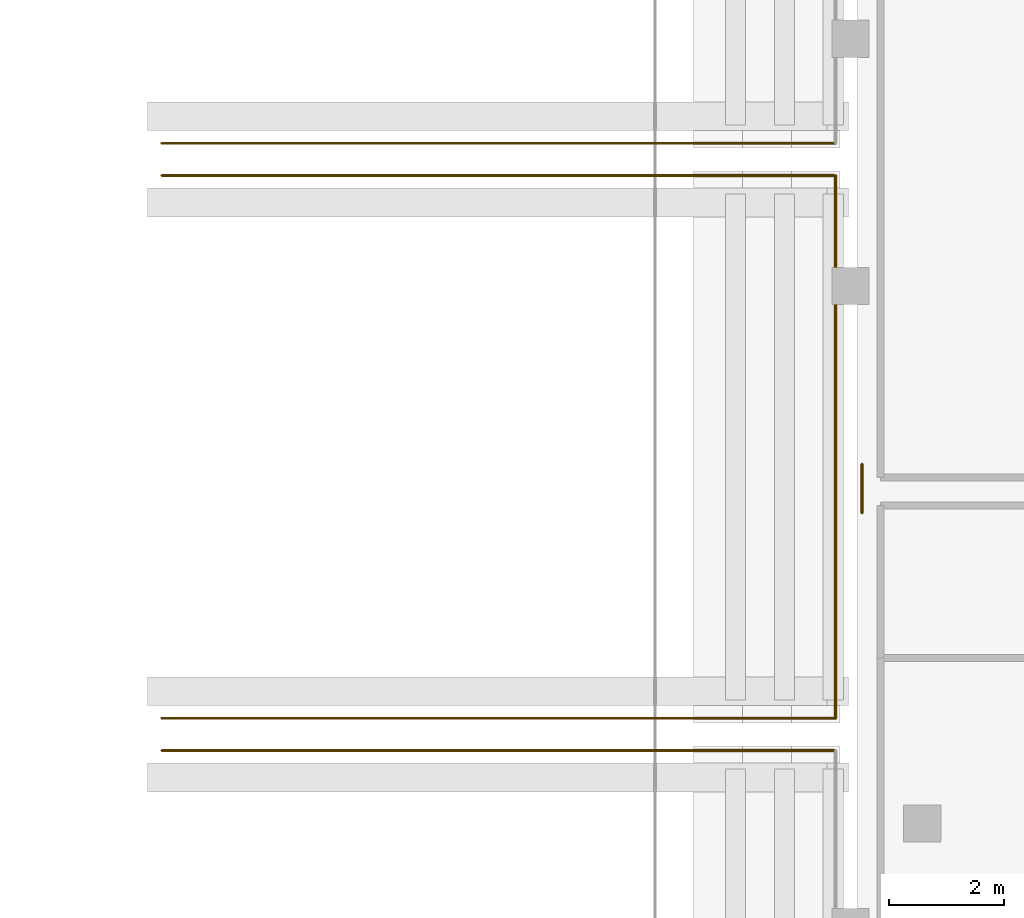
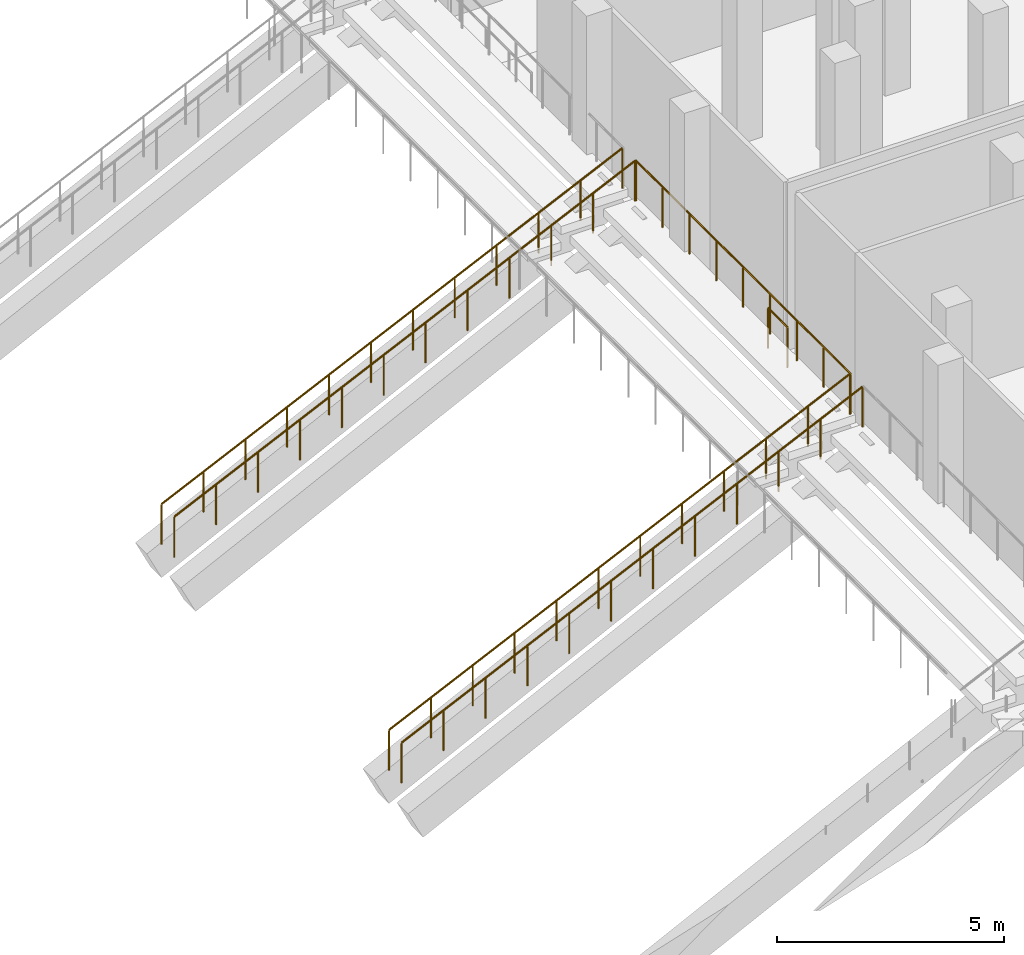
# One storey, part 118 of 129: 6 railings.
"""IFC4 building model written with IfcOpenShell, lengths in metres."""

from ifc_helpers import new_model, si_unit, direction, frame, origin, origin_2d, place, context, subcontext, project, spatial, circle, extrude, material, type_object, element, save


model = new_model("IFC4")

# Units and contexts
model_context = context("Model", 3, precision=1e-05, world=origin(), true_north=direction((0.0, 1.0)))
body_context = subcontext(model_context, "Body", "Model", "MODEL_VIEW")
ifc_project = project(units=[si_unit("LENGTHUNIT", "METRE"), si_unit("AREAUNIT", "SQUARE_METRE"), si_unit("VOLUMEUNIT", "CUBIC_METRE"), si_unit("PLANEANGLEUNIT", "RADIAN"), si_unit("MASSUNIT", "GRAM", prefix="KILO")], contexts=[model_context])

# Site, building, storey
site_placement = place(None, origin())
site = spatial("IfcSite", under=ifc_project, at=site_placement, CompositionType="ELEMENT")
building_placement = place(site_placement, origin())
building = spatial("IfcBuilding", under=site, at=building_placement, Name="Koshinbarg Plaza Stadium", CompositionType="ELEMENT")
storey_placement = place(building_placement, frame((0.0, 0.0, 5.39990234375)))
storey = spatial("IfcBuildingStorey", under=building, at=storey_placement, Name="L01", CompositionType="ELEMENT", Elevation=5.39990234375)

# Railings
ifc_material_1 = material(Name="Toughened laminated glass and stainless steel sightline balustrade", Category="steel")
railing_type_1 = type_object("IfcRailingType", Name="RL-BOWL-1100", PredefinedType="BALUSTRADE", material=ifc_material_1)
railing_1_placement = place(storey_placement, frame((175.280029296875, 69.85009765625, 0.0)))
element("IfcRailing", 1, at=railing_1_placement, inside=storey, type_object=railing_type_1, Name="L01 deck edge safety balustrade 0018", PredefinedType="BALUSTRADE", context=body_context, shape_type="SweptSolid", body=[
    extrude(circle(Radius=0.02392578125, at=origin_2d()), frame((0.0, 0.0, 1.076171875), z_axis=(0.0, 1.0, 0.0), x_axis=(-1.0, 0.0, 0.0)), (0.0, 0.0, 1.0), 0.849853515625),
    extrude(circle(Radius=0.02099609375, at=origin_2d()), origin(), (0.0, 0.0, 1.0), 1.052001953125),
    extrude(circle(Radius=0.02099609375, at=origin_2d()), frame((0.0, 0.849853515625, 0.0)), (0.0, 0.0, 1.0), 1.052001953125),
])
ifc_material_2 = material(Name="Galvanized painted steel guardrail", Category="steel")
railing_type_2 = type_object("IfcRailingType", Name="RL-GUARD-1100", PredefinedType="GUARDRAIL", material=ifc_material_2)
railing_2_placement = place(storey_placement, frame((163.10009765625, 65.719970703125, -4.3798828125)))
element("IfcRailing", 2, at=railing_2_placement, inside=storey, type_object=railing_type_2, Name="LT-E04 stepped aisle guard R", PredefinedType="GUARDRAIL", context=body_context, shape_type="SweptSolid", body=[
    extrude(circle(Radius=0.02392578125, at=origin_2d()), frame((0.0, 0.0, 1.076171875), z_axis=(0.906183623075, 0.0, 0.422884430158), x_axis=(0.0, 1.0, 0.0)), (0.0, 0.0, 1.0), 12.9111328125),
    extrude(circle(Radius=0.02099609375, at=origin_2d()), origin(), (0.0, 0.0, 1.0), 1.052001953125),
    extrude(circle(Radius=0.02099609375, at=origin_2d()), frame((1.063720703125, 0.0, 0.496337890625)), (0.0, 0.0, 1.0), 1.052001953125),
    extrude(circle(Radius=0.02099609375, at=origin_2d()), frame((2.127197265625, 0.0, 0.99267578125)), (0.0, 0.0, 1.0), 1.052001953125),
    extrude(circle(Radius=0.02099609375, at=origin_2d()), frame((3.19091796875, 0.0, 1.489013671875)), (0.0, 0.0, 1.0), 1.052001953125),
    extrude(circle(Radius=0.02099609375, at=origin_2d()), frame((4.254638671875, 0.0, 1.9853515625)), (0.0, 0.0, 1.0), 1.052001953125),
    extrude(circle(Radius=0.02099609375, at=origin_2d()), frame((5.318115234375, 0.0, 2.481689453125)), (0.0, 0.0, 1.0), 1.052001953125),
    extrude(circle(Radius=0.02099609375, at=origin_2d()), frame((6.3818359375, 0.0, 2.978271484375)), (0.0, 0.0, 1.0), 1.052001953125),
    extrude(circle(Radius=0.02099609375, at=origin_2d()), frame((7.4453125, 0.0, 3.474609375)), (0.0, 0.0, 1.0), 1.052001953125),
    extrude(circle(Radius=0.02099609375, at=origin_2d()), frame((8.509033203125, 0.0, 3.970947265625)), (0.0, 0.0, 1.0), 1.052001953125),
    extrude(circle(Radius=0.02099609375, at=origin_2d()), frame((9.57275390625, 0.0, 4.46728515625)), (0.0, 0.0, 1.0), 1.052001953125),
    extrude(circle(Radius=0.02099609375, at=origin_2d()), frame((10.63623046875, 0.0, 4.963623046875)), (0.0, 0.0, 1.0), 1.052001953125),
    extrude(circle(Radius=0.02099609375, at=origin_2d()), frame((11.699951171875, 0.0, 5.4599609375)), (0.0, 0.0, 1.0), 1.052001953125),
])
railing_3_placement = place(storey_placement, frame((174.820068359375, 66.280029296875, 1.080078125)))
element("IfcRailing", 3, at=railing_3_placement, inside=storey, type_object=railing_type_2, Name="LT-E05 rear stand guard", PredefinedType="GUARDRAIL", context=body_context, shape_type="SweptSolid", body=[
    extrude(circle(Radius=0.02392578125, at=origin_2d()), frame((0.0, 0.0, 1.076171875), z_axis=(0.0, 1.0, 0.0), x_axis=(-1.0, 0.0, 0.0)), (0.0, 0.0, 1.0), 9.43994140625),
    extrude(circle(Radius=0.02099609375, at=origin_2d()), origin(), (0.0, 0.0, 1.0), 1.052001953125),
    extrude(circle(Radius=0.02099609375, at=origin_2d()), frame((0.0, 1.179931640625, 0.0)), (0.0, 0.0, 1.0), 1.052001953125),
    extrude(circle(Radius=0.02099609375, at=origin_2d()), frame((0.0, 2.35986328125, 0.0)), (0.0, 0.0, 1.0), 1.052001953125),
    extrude(circle(Radius=0.02099609375, at=origin_2d()), frame((0.0, 3.5400390625, 0.0)), (0.0, 0.0, 1.0), 1.052001953125),
    extrude(circle(Radius=0.02099609375, at=origin_2d()), frame((0.0, 4.719970703125, 0.0)), (0.0, 0.0, 1.0), 1.052001953125),
    extrude(circle(Radius=0.02099609375, at=origin_2d()), frame((0.0, 5.89990234375, 0.0)), (0.0, 0.0, 1.0), 1.052001953125),
    extrude(circle(Radius=0.02099609375, at=origin_2d()), frame((0.0, 7.080078125, 0.0)), (0.0, 0.0, 1.0), 1.052001953125),
    extrude(circle(Radius=0.02099609375, at=origin_2d()), frame((0.0, 8.260009765625, 0.0)), (0.0, 0.0, 1.0), 1.052001953125),
    extrude(circle(Radius=0.02099609375, at=origin_2d()), frame((0.0, 9.43994140625, 0.0)), (0.0, 0.0, 1.0), 1.052001953125),
])
railing_4_placement = place(storey_placement, frame((163.10009765625, 66.280029296875, -4.3798828125)))
element("IfcRailing", 4, at=railing_4_placement, inside=storey, type_object=railing_type_2, Name="LT-E05 stepped aisle guard L", PredefinedType="GUARDRAIL", context=body_context, shape_type="SweptSolid", body=[
    extrude(circle(Radius=0.02392578125, at=origin_2d()), frame((0.0, 0.0, 1.076171875), z_axis=(0.906183623075, 0.0, 0.422884430158), x_axis=(0.0, 1.0, 0.0)), (0.0, 0.0, 1.0), 12.9111328125),
    extrude(circle(Radius=0.02099609375, at=origin_2d()), origin(), (0.0, 0.0, 1.0), 1.052001953125),
    extrude(circle(Radius=0.02099609375, at=origin_2d()), frame((1.063720703125, 0.0, 0.496337890625)), (0.0, 0.0, 1.0), 1.052001953125),
    extrude(circle(Radius=0.02099609375, at=origin_2d()), frame((2.127197265625, 0.0, 0.99267578125)), (0.0, 0.0, 1.0), 1.052001953125),
    extrude(circle(Radius=0.02099609375, at=origin_2d()), frame((3.19091796875, 0.0, 1.489013671875)), (0.0, 0.0, 1.0), 1.052001953125),
    extrude(circle(Radius=0.02099609375, at=origin_2d()), frame((4.254638671875, 0.0, 1.9853515625)), (0.0, 0.0, 1.0), 1.052001953125),
    extrude(circle(Radius=0.02099609375, at=origin_2d()), frame((5.318115234375, 0.0, 2.481689453125)), (0.0, 0.0, 1.0), 1.052001953125),
    extrude(circle(Radius=0.02099609375, at=origin_2d()), frame((6.3818359375, 0.0, 2.978271484375)), (0.0, 0.0, 1.0), 1.052001953125),
    extrude(circle(Radius=0.02099609375, at=origin_2d()), frame((7.4453125, 0.0, 3.474609375)), (0.0, 0.0, 1.0), 1.052001953125),
    extrude(circle(Radius=0.02099609375, at=origin_2d()), frame((8.509033203125, 0.0, 3.970947265625)), (0.0, 0.0, 1.0), 1.052001953125),
    extrude(circle(Radius=0.02099609375, at=origin_2d()), frame((9.57275390625, 0.0, 4.46728515625)), (0.0, 0.0, 1.0), 1.052001953125),
    extrude(circle(Radius=0.02099609375, at=origin_2d()), frame((10.63623046875, 0.0, 4.963623046875)), (0.0, 0.0, 1.0), 1.052001953125),
    extrude(circle(Radius=0.02099609375, at=origin_2d()), frame((11.699951171875, 0.0, 5.4599609375)), (0.0, 0.0, 1.0), 1.052001953125),
])
railing_5_placement = place(storey_placement, frame((163.10009765625, 75.719970703125, -4.3798828125)))
element("IfcRailing", 5, at=railing_5_placement, inside=storey, type_object=railing_type_2, Name="LT-E05 stepped aisle guard R", PredefinedType="GUARDRAIL", context=body_context, shape_type="SweptSolid", body=[
    extrude(circle(Radius=0.02392578125, at=origin_2d()), frame((0.0, 0.0, 1.076171875), z_axis=(0.906183623075, 0.0, 0.422884430158), x_axis=(0.0, 1.0, 0.0)), (0.0, 0.0, 1.0), 12.9111328125),
    extrude(circle(Radius=0.02099609375, at=origin_2d()), origin(), (0.0, 0.0, 1.0), 1.052001953125),
    extrude(circle(Radius=0.02099609375, at=origin_2d()), frame((1.063720703125, 0.0, 0.496337890625)), (0.0, 0.0, 1.0), 1.052001953125),
    extrude(circle(Radius=0.02099609375, at=origin_2d()), frame((2.127197265625, 0.0, 0.99267578125)), (0.0, 0.0, 1.0), 1.052001953125),
    extrude(circle(Radius=0.02099609375, at=origin_2d()), frame((3.19091796875, 0.0, 1.489013671875)), (0.0, 0.0, 1.0), 1.052001953125),
    extrude(circle(Radius=0.02099609375, at=origin_2d()), frame((4.254638671875, 0.0, 1.9853515625)), (0.0, 0.0, 1.0), 1.052001953125),
    extrude(circle(Radius=0.02099609375, at=origin_2d()), frame((5.318115234375, 0.0, 2.481689453125)), (0.0, 0.0, 1.0), 1.052001953125),
    extrude(circle(Radius=0.02099609375, at=origin_2d()), frame((6.3818359375, 0.0, 2.978271484375)), (0.0, 0.0, 1.0), 1.052001953125),
    extrude(circle(Radius=0.02099609375, at=origin_2d()), frame((7.4453125, 0.0, 3.474609375)), (0.0, 0.0, 1.0), 1.052001953125),
    extrude(circle(Radius=0.02099609375, at=origin_2d()), frame((8.509033203125, 0.0, 3.970947265625)), (0.0, 0.0, 1.0), 1.052001953125),
    extrude(circle(Radius=0.02099609375, at=origin_2d()), frame((9.57275390625, 0.0, 4.46728515625)), (0.0, 0.0, 1.0), 1.052001953125),
    extrude(circle(Radius=0.02099609375, at=origin_2d()), frame((10.63623046875, 0.0, 4.963623046875)), (0.0, 0.0, 1.0), 1.052001953125),
    extrude(circle(Radius=0.02099609375, at=origin_2d()), frame((11.699951171875, 0.0, 5.4599609375)), (0.0, 0.0, 1.0), 1.052001953125),
])
railing_6_placement = place(storey_placement, frame((163.10009765625, 76.280029296875, -4.3798828125)))
element("IfcRailing", 6, at=railing_6_placement, inside=storey, type_object=railing_type_2, Name="LT-E06 stepped aisle guard L", PredefinedType="GUARDRAIL", context=body_context, shape_type="SweptSolid", body=[
    extrude(circle(Radius=0.02392578125, at=origin_2d()), frame((0.0, 0.0, 1.076171875), z_axis=(0.906183623075, 0.0, 0.422884430158), x_axis=(0.0, 1.0, 0.0)), (0.0, 0.0, 1.0), 12.9111328125),
    extrude(circle(Radius=0.02099609375, at=origin_2d()), origin(), (0.0, 0.0, 1.0), 1.052001953125),
    extrude(circle(Radius=0.02099609375, at=origin_2d()), frame((1.063720703125, 0.0, 0.496337890625)), (0.0, 0.0, 1.0), 1.052001953125),
    extrude(circle(Radius=0.02099609375, at=origin_2d()), frame((2.127197265625, 0.0, 0.99267578125)), (0.0, 0.0, 1.0), 1.052001953125),
    extrude(circle(Radius=0.02099609375, at=origin_2d()), frame((3.19091796875, 0.0, 1.489013671875)), (0.0, 0.0, 1.0), 1.052001953125),
    extrude(circle(Radius=0.02099609375, at=origin_2d()), frame((4.254638671875, 0.0, 1.9853515625)), (0.0, 0.0, 1.0), 1.052001953125),
    extrude(circle(Radius=0.02099609375, at=origin_2d()), frame((5.318115234375, 0.0, 2.481689453125)), (0.0, 0.0, 1.0), 1.052001953125),
    extrude(circle(Radius=0.02099609375, at=origin_2d()), frame((6.3818359375, 0.0, 2.978271484375)), (0.0, 0.0, 1.0), 1.052001953125),
    extrude(circle(Radius=0.02099609375, at=origin_2d()), frame((7.4453125, 0.0, 3.474609375)), (0.0, 0.0, 1.0), 1.052001953125),
    extrude(circle(Radius=0.02099609375, at=origin_2d()), frame((8.509033203125, 0.0, 3.970947265625)), (0.0, 0.0, 1.0), 1.052001953125),
    extrude(circle(Radius=0.02099609375, at=origin_2d()), frame((9.57275390625, 0.0, 4.46728515625)), (0.0, 0.0, 1.0), 1.052001953125),
    extrude(circle(Radius=0.02099609375, at=origin_2d()), frame((10.63623046875, 0.0, 4.963623046875)), (0.0, 0.0, 1.0), 1.052001953125),
    extrude(circle(Radius=0.02099609375, at=origin_2d()), frame((11.699951171875, 0.0, 5.4599609375)), (0.0, 0.0, 1.0), 1.052001953125),
])

save(model, "model.ifc")
